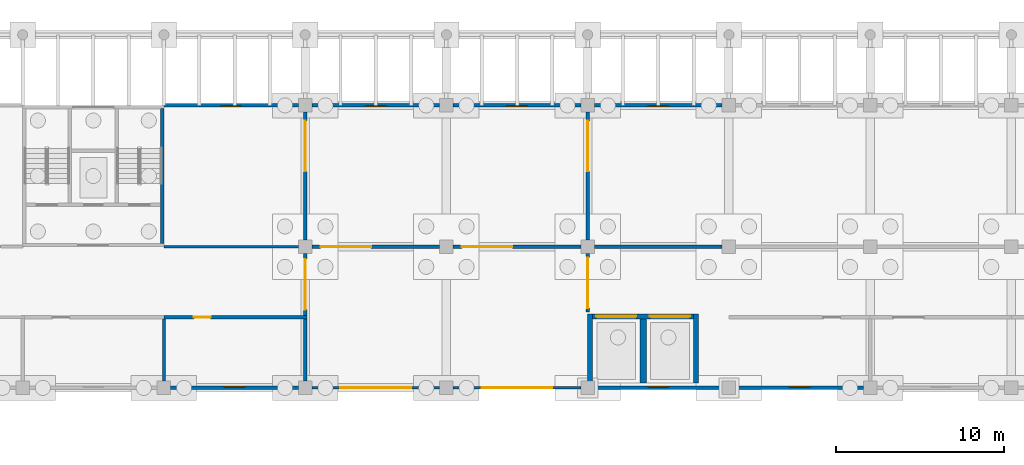
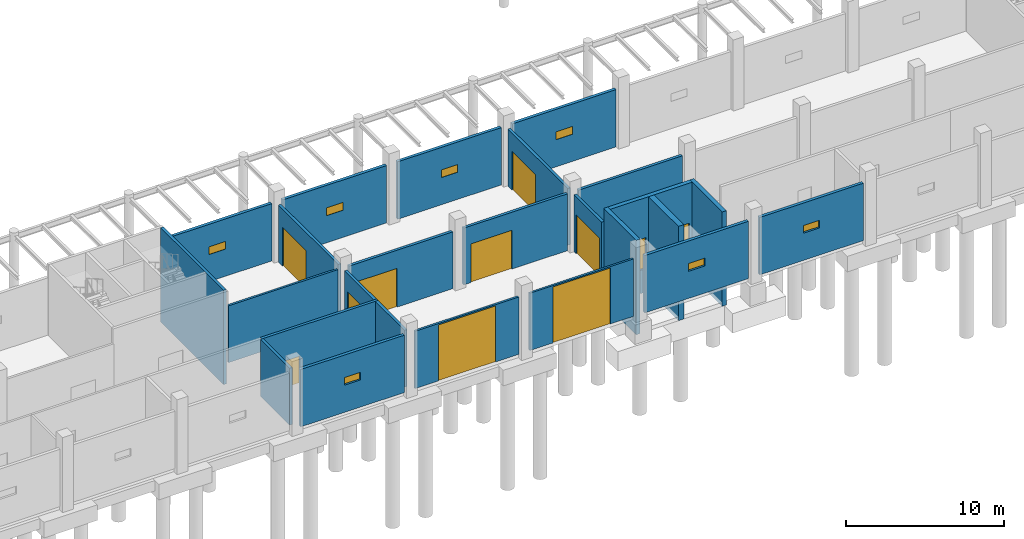
# One storey, part 29 of 82: 25 walls, 11 doors, 7 windows, 18 openings.
"""IFC4 building model written with IfcOpenShell, lengths in metres."""

from ifc_helpers import new_model, si_unit, direction, frame, frame_2d, origin, place, context, subcontext, project, spatial, rectangle, extrude, material, layer, layer_set, type_object, element, fill, save


model = new_model("IFC4")

# Units and contexts
model_context = context("Model", 3, precision=1e-05, world=origin(), true_north=direction((0.0, 1.0)))
body_context = subcontext(model_context, "Body", "Model", "MODEL_VIEW")
ifc_project = project(units=[si_unit("LENGTHUNIT", "METRE"), si_unit("AREAUNIT", "SQUARE_METRE"), si_unit("VOLUMEUNIT", "CUBIC_METRE"), si_unit("PLANEANGLEUNIT", "RADIAN"), si_unit("MASSUNIT", "GRAM", prefix="KILO")], contexts=[model_context])

# Site, building, storey
site_placement = place(None, origin())
site = spatial("IfcSite", under=ifc_project, at=site_placement, CompositionType="ELEMENT")
building_placement = place(site_placement, origin())
building = spatial("IfcBuilding", under=site, at=building_placement, Name="Almond Square Museum", CompositionType="ELEMENT")
storey_placement = place(building_placement, origin())
storey = spatial("IfcBuildingStorey", under=building, at=storey_placement, Name="L00", CompositionType="ELEMENT", Elevation=0.0)

# Wall, opening, door
ifc_material_1 = material(Name="Concrete blockwork 200", Category="masonry")
ifc_layer_1 = layer(ifc_material_1, 0.199951171875)
ifc_layer_set_1 = layer_set([ifc_layer_1], Name="Concrete blockwork 200")
wall_type_1 = type_object("IfcWallType", Name="Fire partition 200 blockwork", PredefinedType="PARTITIONING", material=ifc_layer_set_1)
wall_1_placement = place(storey_placement, frame((73.199951171875, 8.800048828125, 0.0), z_axis=(0.0, 0.0, 1.0), x_axis=(0.0, 1.0, 0.0)))
wall_1 = element("IfcWall", 1, at=wall_1_placement, inside=storey, type_object=wall_type_1, Name="L00 partition 86", PredefinedType="PARTITIONING", context=body_context, shape_type="SweptSolid", body=[
    extrude(rectangle(XDim=7.599853515625, YDim=0.199951171875, at=frame_2d((3.7998046875, 0.0))), origin(), (0.0, 0.0, 1.0), 4.39990234375),
])
opening_1_placement = place(wall_1_placement, frame((4.074951171875, 0.0, 0.0)))
opening_1 = element("IfcOpeningElement", 2, at=opening_1_placement, cuts=wall_1, Name="Opening D0127", PredefinedType="OPENING", context=body_context, shape_type="SweptSolid", body=[
    extrude(rectangle(XDim=3.0, YDim=3.0, at=frame_2d((1.5, 1.5))), frame((0.0, 0.10986328125, 0.0), z_axis=(0.0, -1.0, 0.0), x_axis=(1.0, 0.0, 0.0)), (0.0, 0.0, 1.0), 0.219970703125),
])
ifc_material_2 = material(Name="Steel", Category="steel")
door_type_1 = type_object("IfcDoorType", Name="Dock door 3000 x 3000 steel double", OperationType="NOTDEFINED", PredefinedType="DOOR", material=ifc_material_2)
door_1_placement = place(opening_1_placement, origin())
door_1 = element("IfcDoor", 3, at=door_1_placement, inside=storey, type_object=door_type_1, Name="L00 door Art Handling Room to Dock Hall", OperationType="DOUBLE_DOOR_SINGLE_SWING", OverallHeight=3.0, OverallWidth=3.0, PredefinedType="DOOR", context=body_context, shape_type="SweptSolid", body=[
    extrude(rectangle(XDim=3.0, YDim=3.0, at=frame_2d((1.5, 1.5))), frame((0.0, 0.02490234375, 0.0), z_axis=(0.0, -1.0, 0.0), x_axis=(1.0, 0.0, 0.0)), (0.0, 0.0, 1.0), 0.050048828125),
])
fill(opening_1, door_1)

wall_2_placement = place(storey_placement, frame((90.0, 8.800048828125, 0.0), z_axis=(0.0, 0.0, 1.0), x_axis=(0.0, 1.0, 0.0)))
wall_2 = element("IfcWall", 4, at=wall_2_placement, inside=storey, type_object=wall_type_1, Name="L00 partition 88", PredefinedType="PARTITIONING", context=body_context, shape_type="SweptSolid", body=[
    extrude(rectangle(XDim=7.599853515625, YDim=0.199951171875, at=frame_2d((3.7998046875, 0.0))), origin(), (0.0, 0.0, 1.0), 4.39990234375),
])
opening_2_placement = place(wall_2_placement, frame((4.074951171875, 0.0, 0.0)))
opening_2 = element("IfcOpeningElement", 5, at=opening_2_placement, cuts=wall_2, Name="Opening D0128", PredefinedType="OPENING", context=body_context, shape_type="SweptSolid", body=[
    extrude(rectangle(XDim=3.0, YDim=3.0, at=frame_2d((1.5, 1.5))), frame((0.0, 0.10986328125, 0.0), z_axis=(0.0, -1.0, 0.0), x_axis=(1.0, 0.0, 0.0)), (0.0, 0.0, 1.0), 0.219970703125),
])
door_2_placement = place(opening_2_placement, origin())
door_2 = element("IfcDoor", 6, at=door_2_placement, inside=storey, type_object=door_type_1, Name="L00 door Receiving and Crating to Dock Hall", OperationType="DOUBLE_DOOR_SINGLE_SWING", OverallHeight=3.0, OverallWidth=3.0, PredefinedType="DOOR", context=body_context, shape_type="SweptSolid", body=[
    extrude(rectangle(XDim=3.0, YDim=3.0, at=frame_2d((1.5, 1.5))), frame((0.0, 0.02490234375, 0.0), z_axis=(0.0, -1.0, 0.0), x_axis=(1.0, 0.0, 0.0)), (0.0, 0.0, 1.0), 0.050048828125),
])
fill(opening_2, door_2)

wall_3_placement = place(storey_placement, frame((73.60009765625, 8.39990234375, 0.0), z_axis=(0.0, 0.0, 1.0), x_axis=(1.0, 0.0, 0.0)))
wall_3 = element("IfcWall", 7, at=wall_3_placement, inside=storey, type_object=wall_type_1, Name="L00 partition 89", PredefinedType="PARTITIONING", context=body_context, shape_type="SweptSolid", body=[
    extrude(rectangle(XDim=7.599853515625, YDim=0.199951171875, at=frame_2d((3.7998046875, 0.0))), origin(), (0.0, 0.0, 1.0), 4.39990234375),
])
opening_3_placement = place(wall_3_placement, frame((0.52490234375, 0.0, 0.0)))
opening_3 = element("IfcOpeningElement", 8, at=opening_3_placement, cuts=wall_3, Name="Opening D0153", PredefinedType="OPENING", context=body_context, shape_type="SweptSolid", body=[
    extrude(rectangle(XDim=3.0, YDim=3.0, at=frame_2d((1.5, 1.5))), frame((0.0, 0.10986328125, 0.0), z_axis=(0.0, -1.0, 0.0), x_axis=(1.0, 0.0, 0.0)), (0.0, 0.0, 1.0), 0.219970703125),
])
door_3_placement = place(opening_3_placement, origin())
door_3 = element("IfcDoor", 9, at=door_3_placement, inside=storey, type_object=door_type_1, Name="L00 door Dock Hall to Loading Dock", OperationType="DOUBLE_DOOR_SINGLE_SWING", OverallHeight=3.0, OverallWidth=3.0, PredefinedType="DOOR", context=body_context, shape_type="SweptSolid", body=[
    extrude(rectangle(XDim=3.0, YDim=3.0, at=frame_2d((1.5, 1.5))), frame((0.0, 0.02490234375, 0.0), z_axis=(0.0, -1.0, 0.0), x_axis=(1.0, 0.0, 0.0)), (0.0, 0.0, 1.0), 0.050048828125),
])
fill(opening_3, door_3)

wall_4_placement = place(storey_placement, frame((82.0, 8.39990234375, 0.0), z_axis=(0.0, 0.0, 1.0), x_axis=(1.0, 0.0, 0.0)))
wall_4 = element("IfcWall", 10, at=wall_4_placement, inside=storey, type_object=wall_type_1, Name="L00 partition 90", PredefinedType="PARTITIONING", context=body_context, shape_type="SweptSolid", body=[
    extrude(rectangle(XDim=7.60009765625, YDim=0.199951171875, at=frame_2d((3.800048828125, 0.0))), origin(), (0.0, 0.0, 1.0), 4.39990234375),
])
opening_4_placement = place(wall_4_placement, frame((0.52490234375, 0.0, 0.0)))
opening_4 = element("IfcOpeningElement", 11, at=opening_4_placement, cuts=wall_4, Name="Opening D0154", PredefinedType="OPENING", context=body_context, shape_type="SweptSolid", body=[
    extrude(rectangle(XDim=3.0, YDim=3.0, at=frame_2d((1.5, 1.5))), frame((0.0, 0.10986328125, 0.0), z_axis=(0.0, -1.0, 0.0), x_axis=(1.0, 0.0, 0.0)), (0.0, 0.0, 1.0), 0.219970703125),
])
door_4_placement = place(opening_4_placement, origin())
door_4 = element("IfcDoor", 12, at=door_4_placement, inside=storey, type_object=door_type_1, Name="L00 door Dock Hall to Loading Dock", OperationType="DOUBLE_DOOR_SINGLE_SWING", OverallHeight=3.0, OverallWidth=3.0, PredefinedType="DOOR", context=body_context, shape_type="SweptSolid", body=[
    extrude(rectangle(XDim=3.0, YDim=3.0, at=frame_2d((1.5, 1.5))), frame((0.0, 0.02490234375, 0.0), z_axis=(0.0, -1.0, 0.0), x_axis=(1.0, 0.0, 0.0)), (0.0, 0.0, 1.0), 0.050048828125),
])
fill(opening_4, door_4)

# Wall
wall_5_placement = place(storey_placement, frame((90.39990234375, 8.39990234375, 0.0), z_axis=(0.0, 0.0, 1.0), x_axis=(1.0, 0.0, 0.0)))
element("IfcWall", 13, at=wall_5_placement, inside=storey, type_object=wall_type_1, Name="L00 partition 91", PredefinedType="PARTITIONING", context=body_context, shape_type="SweptSolid", body=[
    extrude(rectangle(XDim=7.60009765625, YDim=0.199951171875, at=frame_2d((3.800048828125, 0.0))), origin(), (0.0, 0.0, 1.0), 4.39990234375),
])

# Wall, opening, door
wall_6_placement = place(storey_placement, frame((64.800048828125, 4.199951171875, 0.0), z_axis=(0.0, 0.0, 1.0), x_axis=(1.0, 0.0, 0.0)))
wall_6 = element("IfcWall", 14, at=wall_6_placement, inside=storey, type_object=wall_type_1, Name="L00 partition 105", PredefinedType="PARTITIONING", context=body_context, shape_type="SweptSolid", body=[
    extrude(rectangle(XDim=8.5, YDim=0.199951171875, at=frame_2d((4.25, 0.0))), origin(), (0.0, 0.0, 1.0), 4.39990234375),
])
opening_5_placement = place(wall_6_placement, frame((1.77490234375, 0.0, 0.0)))
opening_5 = element("IfcOpeningElement", 15, at=opening_5_placement, cuts=wall_6, Name="Opening D0135", PredefinedType="OPENING", context=body_context, shape_type="SweptSolid", body=[
    extrude(rectangle(XDim=1.0, YDim=2.10009765625, at=frame_2d((0.5, 1.050048828125))), frame((0.0, 0.10986328125, 0.0), z_axis=(0.0, -1.0, 0.0), x_axis=(1.0, 0.0, 0.0)), (0.0, 0.0, 1.0), 0.219970703125),
])
ifc_material_3 = material(Name="Steel", Category="steel")
door_type_2 = type_object("IfcDoorType", Name="Fire door 1000 x 2100 FD60 single", OperationType="NOTDEFINED", PredefinedType="DOOR", material=ifc_material_3)
door_5_placement = place(opening_5_placement, origin())
door_5 = element("IfcDoor", 16, at=door_5_placement, inside=storey, type_object=door_type_2, Name="L00 door Cleaners' Store 3 to Service Corridor 2", OperationType="SINGLE_SWING_RIGHT", OverallHeight=2.10009765625, OverallWidth=1.0, PredefinedType="DOOR", context=body_context, shape_type="SweptSolid", body=[
    extrude(rectangle(XDim=1.0, YDim=2.10009765625, at=frame_2d((0.5, 1.050048828125))), frame((0.0, 0.02490234375, 0.0), z_axis=(0.0, -1.0, 0.0), x_axis=(1.0, 0.0, 0.0)), (0.0, 0.0, 1.0), 0.050048828125),
])
fill(opening_5, door_5)

wall_7_placement = place(storey_placement, frame((73.199951171875, 4.300048828125, 0.0), z_axis=(0.0, 0.0, 1.0), x_axis=(0.0, 1.0, 0.0)))
wall_7 = element("IfcWall", 17, at=wall_7_placement, inside=storey, type_object=wall_type_1, Name="L00 partition 106", PredefinedType="PARTITIONING", context=body_context, shape_type="SweptSolid", body=[
    extrude(rectangle(XDim=3.699951171875, YDim=0.199951171875, at=frame_2d((1.85009765625, 0.0))), origin(), (0.0, 0.0, 1.0), 4.39990234375),
])
opening_6_placement = place(wall_7_placement, frame((0.35009765625, 0.0, 0.0)))
opening_6 = element("IfcOpeningElement", 18, at=opening_6_placement, cuts=wall_7, Name="Opening D0155", PredefinedType="OPENING", context=body_context, shape_type="SweptSolid", body=[
    extrude(rectangle(XDim=3.0, YDim=3.0, at=frame_2d((1.5, 1.5))), frame((0.0, 0.10986328125, 0.0), z_axis=(0.0, -1.0, 0.0), x_axis=(1.0, 0.0, 0.0)), (0.0, 0.0, 1.0), 0.219970703125),
])
door_6_placement = place(opening_6_placement, origin())
door_6 = element("IfcDoor", 19, at=door_6_placement, inside=storey, type_object=door_type_1, Name="L00 door Service Corridor 2 to Loading Dock", OperationType="DOUBLE_DOOR_SINGLE_SWING", OverallHeight=3.0, OverallWidth=3.0, PredefinedType="DOOR", context=body_context, shape_type="SweptSolid", body=[
    extrude(rectangle(XDim=3.0, YDim=3.0, at=frame_2d((1.5, 1.5))), frame((0.0, 0.02490234375, 0.0), z_axis=(0.0, -1.0, 0.0), x_axis=(1.0, 0.0, 0.0)), (0.0, 0.0, 1.0), 0.050048828125),
])
fill(opening_6, door_6)

wall_8_placement = place(storey_placement, frame((90.0, 4.5, 0.0), z_axis=(0.0, 0.0, 1.0), x_axis=(0.0, 1.0, 0.0)))
wall_8 = element("IfcWall", 20, at=wall_8_placement, inside=storey, type_object=wall_type_1, Name="L00 partition 109", PredefinedType="PARTITIONING", context=body_context, shape_type="SweptSolid", body=[
    extrude(rectangle(XDim=3.5, YDim=0.199951171875, at=frame_2d((1.75, 0.0))), origin(), (0.0, 0.0, 1.0), 4.39990234375),
])
opening_7_placement = place(wall_8_placement, frame((0.25, 0.0, 0.0)))
opening_7 = element("IfcOpeningElement", 21, at=opening_7_placement, cuts=wall_8, Name="Opening D0156", PredefinedType="OPENING", context=body_context, shape_type="SweptSolid", body=[
    extrude(rectangle(XDim=3.0, YDim=3.0, at=frame_2d((1.5, 1.5))), frame((0.0, 0.10986328125, 0.0), z_axis=(0.0, -1.0, 0.0), x_axis=(1.0, 0.0, 0.0)), (0.0, 0.0, 1.0), 0.219970703125),
])
door_7_placement = place(opening_7_placement, origin())
door_7 = element("IfcDoor", 22, at=door_7_placement, inside=storey, type_object=door_type_1, Name="L00 door Goods Lift Lobby to Loading Dock", OperationType="DOUBLE_DOOR_SINGLE_SWING", OverallHeight=3.0, OverallWidth=3.0, PredefinedType="DOOR", context=body_context, shape_type="SweptSolid", body=[
    extrude(rectangle(XDim=3.0, YDim=3.0, at=frame_2d((1.5, 1.5))), frame((0.0, 0.02490234375, 0.0), z_axis=(0.0, -1.0, 0.0), x_axis=(1.0, 0.0, 0.0)), (0.0, 0.0, 1.0), 0.050048828125),
])
fill(opening_7, door_7)

# Walls
for number, where, z_axis, x_axis, name in (
    (23, (64.800048828125, 0.39990234375, 0.0), (0.0, 0.0, 1.0), (0.0, 1.0, 0.0), "L00 partition 114"),
    (24, (73.199951171875, 0.39990234375, 0.0), (0.0, 0.0, 1.0), (0.0, 1.0, 0.0), "L00 partition 115"),
):
    element("IfcWall", number, at=place(storey_placement, frame(where, z_axis=z_axis, x_axis=x_axis)), inside=storey, type_object=wall_type_1, Name=name, PredefinedType="PARTITIONING", context=body_context, shape_type="SweptSolid", body=[
        extrude(rectangle(XDim=3.7001953125, YDim=0.199951171875, at=frame_2d((1.85009765625, 0.0))), origin(), (0.0, 0.0, 1.0), 4.39990234375),
    ])

# Wall, opening, door
ifc_material_4 = material(Name="Aluminium and laminated glass", Category="aluminium")
ifc_layer_2 = layer(ifc_material_4, 0.14990234375)
ifc_layer_set_2 = layer_set([ifc_layer_2], Name="Aluminium and laminated glass")
wall_type_2 = type_object("IfcWallType", Name="Glazed entrance screen 150", PredefinedType="ELEMENTEDWALL", material=ifc_layer_set_2)
wall_9_placement = place(storey_placement, frame((73.60009765625, 0.0, 0.0), z_axis=(0.0, 0.0, 1.0), x_axis=(1.0, 0.0, 0.0)))
wall_9 = element("IfcWall", 25, at=wall_9_placement, inside=storey, type_object=wall_type_2, Name="External wall W6 V5S L00 S08", PredefinedType="ELEMENTEDWALL", context=body_context, shape_type="SweptSolid", body=[
    extrude(rectangle(XDim=7.599853515625, YDim=0.14990234375, at=frame_2d((3.7998046875, 0.0))), origin(), (0.0, 0.0, 1.0), 4.43994140625),
])
opening_8_placement = place(wall_9_placement, frame((1.699951171875, 0.0, 0.0)))
opening_8 = element("IfcOpeningElement", 26, at=opening_8_placement, cuts=wall_9, Name="Opening D002", PredefinedType="OPENING", context=body_context, shape_type="SweptSolid", body=[
    extrude(rectangle(XDim=4.199951171875, YDim=4.340087890625, at=frame_2d((2.10009765625, 2.169921875))), frame((0.0, 0.0849609375, 0.0), z_axis=(0.0, -1.0, 0.0), x_axis=(1.0, 0.0, 0.0)), (0.0, 0.0, 1.0), 0.169921875),
])
ifc_material_5 = material(Name="Insulated steel slat shutter", Category="steel")
door_type_3 = type_object("IfcDoorType", Name="Dock roller door 4200 x 4340", OperationType="NOTDEFINED", PredefinedType="DOOR", material=ifc_material_5)
door_8_placement = place(opening_8_placement, origin())
door_8 = element("IfcDoor", 27, at=door_8_placement, inside=storey, type_object=door_type_3, Name="Dock Door DD1 door D002", OperationType="ROLLINGUP", OverallHeight=4.340087890625, OverallWidth=4.199951171875, PredefinedType="DOOR", context=body_context, shape_type="SweptSolid", body=[
    extrude(rectangle(XDim=4.199951171875, YDim=4.340087890625, at=frame_2d((2.10009765625, 2.169921875))), frame((0.0, 0.02490234375, 0.0), z_axis=(0.0, -1.0, 0.0), x_axis=(1.0, 0.0, 0.0)), (0.0, 0.0, 1.0), 0.050048828125),
])
fill(opening_8, door_8)

wall_10_placement = place(storey_placement, frame((82.0, 0.0, 0.0), z_axis=(0.0, 0.0, 1.0), x_axis=(1.0, 0.0, 0.0)))
wall_10 = element("IfcWall", 28, at=wall_10_placement, inside=storey, type_object=wall_type_2, Name="External wall W6 V5S L00 S09", PredefinedType="ELEMENTEDWALL", context=body_context, shape_type="SweptSolid", body=[
    extrude(rectangle(XDim=7.60009765625, YDim=0.14990234375, at=frame_2d((3.800048828125, 0.0))), origin(), (0.0, 0.0, 1.0), 4.43994140625),
])
opening_9_placement = place(wall_10_placement, frame((1.699951171875, 0.0, 0.0)))
opening_9 = element("IfcOpeningElement", 29, at=opening_9_placement, cuts=wall_10, Name="Opening D003", PredefinedType="OPENING", context=body_context, shape_type="SweptSolid", body=[
    extrude(rectangle(XDim=4.199951171875, YDim=4.340087890625, at=frame_2d((2.10009765625, 2.169921875))), frame((0.0, 0.0849609375, 0.0), z_axis=(0.0, -1.0, 0.0), x_axis=(1.0, 0.0, 0.0)), (0.0, 0.0, 1.0), 0.169921875),
])
door_9_placement = place(opening_9_placement, origin())
door_9 = element("IfcDoor", 30, at=door_9_placement, inside=storey, type_object=door_type_3, Name="Dock Door DD2 door D003", OperationType="ROLLINGUP", OverallHeight=4.340087890625, OverallWidth=4.199951171875, PredefinedType="DOOR", context=body_context, shape_type="SweptSolid", body=[
    extrude(rectangle(XDim=4.199951171875, YDim=4.340087890625, at=frame_2d((2.10009765625, 2.169921875))), frame((0.0, 0.02490234375, 0.0), z_axis=(0.0, -1.0, 0.0), x_axis=(1.0, 0.0, 0.0)), (0.0, 0.0, 1.0), 0.050048828125),
])
fill(opening_9, door_9)

# Walls
ifc_material_6 = material(Name="Plasterboard on steel stud", Category="steel")
ifc_layer_3 = layer(ifc_material_6, 0.14990234375)
ifc_layer_set_3 = layer_set([ifc_layer_3], Name="Plasterboard on steel stud")
wall_type_3 = type_object("IfcWallType", Name="Partition 150 plasterboard on steel stud", PredefinedType="PARTITIONING", material=ifc_layer_set_3)
wall_11_placement = place(storey_placement, frame((64.800048828125, 8.39990234375, 0.0), z_axis=(0.0, 0.0, 1.0), x_axis=(1.0, 0.0, 0.0)))
element("IfcWall", 31, at=wall_11_placement, inside=storey, type_object=wall_type_3, Name="L00 partition 87", PredefinedType="PARTITIONING", context=body_context, shape_type="SweptSolid", body=[
    extrude(rectangle(XDim=8.0, YDim=0.14990234375, at=frame_2d((4.0, 0.0))), origin(), (0.0, 0.0, 1.0), 4.39990234375),
])
ifc_material_7 = material(Name="Concrete C40/50", Category="concrete")
ifc_layer_4 = layer(ifc_material_7, 0.199951171875)
ifc_layer_set_4 = layer_set([ifc_layer_4], Name="Concrete C40/50")
wall_type_4 = type_object("IfcWallType", Name="RC shear wall 200 C40/50", PredefinedType="SHEAR", material=ifc_layer_set_4)
wall_12_placement = place(storey_placement, frame((64.699951171875, 8.60009765625, -1.800048828125), z_axis=(0.0, 0.0, 1.0), x_axis=(0.0, 1.0, 0.0)))
element("IfcWall", 32, at=wall_12_placement, inside=storey, type_object=wall_type_4, Name="Core S2 east wall L00", PredefinedType="SHEAR", context=body_context, shape_type="SweptSolid", body=[
    extrude(rectangle(XDim=8.0, YDim=0.199951171875, at=frame_2d((4.0, 0.0))), origin(), (0.0, 0.0, 1.0), 7.300048828125),
])
ifc_material_8 = material(Name="Concrete C40/50", Category="concrete")
ifc_layer_5 = layer(ifc_material_8, 0.300048828125)
ifc_layer_set_5 = layer_set([ifc_layer_5], Name="Concrete C40/50")
wall_type_5 = type_object("IfcWallType", Name="RC shear wall 300 C40/50", PredefinedType="SHEAR", material=ifc_layer_set_5)
for number, where, z_axis, x_axis, name in (
    (33, (90.14990234375, 0.300048828125, -1.800048828125), (0.0, 0.0, 1.0), (0.0, 1.0, 0.0), "Goods lift shaft west wall L00"),
    (34, (96.449951171875, 0.300048828125, -1.800048828125), (0.0, 0.0, 1.0), (0.0, 1.0, 0.0), "Goods lift shaft east wall L00"),
):
    element("IfcWall", number, at=place(storey_placement, frame(where, z_axis=z_axis, x_axis=x_axis)), inside=storey, type_object=wall_type_5, Name=name, PredefinedType="SHEAR", context=body_context, shape_type="SweptSolid", body=[
        extrude(rectangle(XDim=4.099853515625, YDim=0.300048828125, at=frame_2d((2.0498046875, 0.0))), origin(), (0.0, 0.0, 1.0), 7.300048828125),
    ])

# Wall, openings, doors
wall_13_placement = place(storey_placement, frame((90.300048828125, 4.25, -1.800048828125), z_axis=(0.0, 0.0, 1.0), x_axis=(1.0, 0.0, 0.0)))
wall_13 = element("IfcWall", 35, at=wall_13_placement, inside=storey, type_object=wall_type_5, Name="Goods lift shaft lobby wall L00", PredefinedType="SHEAR", context=body_context, shape_type="SweptSolid", body=[
    extrude(rectangle(XDim=6.0, YDim=0.300048828125, at=frame_2d((3.0, 0.0))), origin(), (0.0, 0.0, 1.0), 7.300048828125),
])
opening_10_placement = place(wall_13_placement, frame((0.199951171875, 0.0, 1.800048828125)))
opening_10 = element("IfcOpeningElement", 36, at=opening_10_placement, cuts=wall_13, Name="Opening D0220", PredefinedType="OPENING", context=body_context, shape_type="SweptSolid", body=[
    extrude(rectangle(XDim=2.39990234375, YDim=2.39990234375, at=frame_2d((1.199951171875, 1.199951171875))), frame((0.0, 0.159912109375, 0.0), z_axis=(0.0, -1.0, 0.0), x_axis=(1.0, 0.0, 0.0)), (0.0, 0.0, 1.0), 0.320068359375),
])
opening_11_placement = place(wall_13_placement, frame((3.39990234375, 0.0, 1.800048828125)))
opening_11 = element("IfcOpeningElement", 37, at=opening_11_placement, cuts=wall_13, Name="Opening D0221", PredefinedType="OPENING", context=body_context, shape_type="SweptSolid", body=[
    extrude(rectangle(XDim=2.39990234375, YDim=2.39990234375, at=frame_2d((1.199951171875, 1.199951171875))), frame((0.0, 0.159912109375, 0.0), z_axis=(0.0, -1.0, 0.0), x_axis=(1.0, 0.0, 0.0)), (0.0, 0.0, 1.0), 0.320068359375),
])
ifc_material_9 = material(Name="Stainless steel", Category="steel")
door_type_4 = type_object("IfcDoorType", Name="Goods lift landing door 2400 x 2400", OperationType="NOTDEFINED", PredefinedType="DOOR", material=ifc_material_9)
door_10_placement = place(opening_10_placement, origin())
door_10 = element("IfcDoor", 38, at=door_10_placement, inside=storey, type_object=door_type_4, Name="L00 goods lift GL1 landing door", OperationType="DOUBLE_DOOR_SLIDING", OverallHeight=2.39990234375, OverallWidth=2.39990234375, PredefinedType="DOOR", context=body_context, shape_type="SweptSolid", body=[
    extrude(rectangle(XDim=2.39990234375, YDim=2.39990234375, at=frame_2d((1.199951171875, 1.199951171875))), frame((0.0, 0.02490234375, 0.0), z_axis=(0.0, -1.0, 0.0), x_axis=(1.0, 0.0, 0.0)), (0.0, 0.0, 1.0), 0.050048828125),
])
fill(opening_10, door_10)
door_11_placement = place(opening_11_placement, origin())
door_11 = element("IfcDoor", 39, at=door_11_placement, inside=storey, type_object=door_type_4, Name="L00 goods lift GL2 landing door", OperationType="DOUBLE_DOOR_SLIDING", OverallHeight=2.39990234375, OverallWidth=2.39990234375, PredefinedType="DOOR", context=body_context, shape_type="SweptSolid", body=[
    extrude(rectangle(XDim=2.39990234375, YDim=2.39990234375, at=frame_2d((1.199951171875, 1.199951171875))), frame((0.0, 0.02490234375, 0.0), z_axis=(0.0, -1.0, 0.0), x_axis=(1.0, 0.0, 0.0)), (0.0, 0.0, 1.0), 0.050048828125),
])
fill(opening_11, door_11)

# Wall
ifc_material_10 = material(Name="Concrete C40/50", Category="concrete")
ifc_layer_6 = layer(ifc_material_10, 0.39990234375)
ifc_layer_set_6 = layer_set([ifc_layer_6], Name="Concrete C40/50")
wall_type_6 = type_object("IfcWallType", Name="RC shear wall 400 C40/50", PredefinedType="SHEAR", material=ifc_layer_set_6)
wall_14_placement = place(storey_placement, frame((93.300048828125, 0.300048828125, -1.800048828125), z_axis=(0.0, 0.0, 1.0), x_axis=(0.0, 1.0, 0.0)))
element("IfcWall", 40, at=wall_14_placement, inside=storey, type_object=wall_type_6, Name="Goods lift shaft partition wall L00", PredefinedType="SHEAR", context=body_context, shape_type="SweptSolid", body=[
    extrude(rectangle(XDim=3.800048828125, YDim=0.39990234375, at=frame_2d((1.89990234375, 0.0))), origin(), (0.0, 0.0, 1.0), 7.300048828125),
])

# Wall, opening, window
ifc_material_11 = material(Name="Concrete C30/37", Category="concrete")
ifc_layer_7 = layer(ifc_material_11, 0.219970703125)
ifc_layer_set_7 = layer_set([ifc_layer_7], Name="Concrete C30/37")
wall_type_7 = type_object("IfcWallType", Name="Stucco panel wall 220 with insulation", PredefinedType="SOLIDWALL", material=ifc_layer_set_7)
wall_15_placement = place(storey_placement, frame((65.199951171875, 0.0, 0.0), z_axis=(0.0, 0.0, 1.0), x_axis=(1.0, 0.0, 0.0)))
wall_15 = element("IfcWall", 41, at=wall_15_placement, inside=storey, type_object=wall_type_7, Name="External wall W4 V5S L00 S07", PredefinedType="SOLIDWALL", context=body_context, shape_type="SweptSolid", body=[
    extrude(rectangle(XDim=7.60009765625, YDim=0.219970703125, at=frame_2d((3.800048828125, 0.0))), origin(), (0.0, 0.0, 1.0), 4.43994140625),
])
opening_12_placement = place(wall_15_placement, frame((3.199951171875, 0.0, 2.10009765625)))
opening_12 = element("IfcOpeningElement", 42, at=opening_12_placement, cuts=wall_15, Name="Opening W0006", PredefinedType="OPENING", context=body_context, shape_type="SweptSolid", body=[
    extrude(rectangle(XDim=1.199951171875, YDim=0.60009765625, at=frame_2d((0.60009765625, 0.300048828125))), frame((0.0, 0.119873046875, 0.0), z_axis=(0.0, -1.0, 0.0), x_axis=(1.0, 0.0, 0.0)), (0.0, 0.0, 1.0), 0.239990234375),
])
ifc_material_12 = material(Name="Anodised aluminium louvre", Category="aluminium")
window_type = type_object("IfcWindowType", Name="Louvred vent", PartitioningType="SINGLE_PANEL", PredefinedType="WINDOW", material=ifc_material_12)
window_1_placement = place(opening_12_placement, origin())
window_1 = element("IfcWindow", 43, at=window_1_placement, inside=storey, type_object=window_type, Name="Louvred vent W0006", OverallHeight=0.60009765625, OverallWidth=1.199951171875, PartitioningType="SINGLE_PANEL", PredefinedType="WINDOW", context=body_context, shape_type="SweptSolid", body=[
    extrude(rectangle(XDim=1.199951171875, YDim=0.60009765625, at=frame_2d((0.60009765625, 0.300048828125))), frame((0.0, 0.090087890625, 0.0), z_axis=(0.0, -1.0, 0.0), x_axis=(1.0, 0.0, 0.0)), (0.0, 0.0, 1.0), 0.06005859375),
])
fill(opening_12, window_1)

wall_16_placement = place(storey_placement, frame((90.39990234375, 0.0, 0.0), z_axis=(0.0, 0.0, 1.0), x_axis=(1.0, 0.0, 0.0)))
wall_16 = element("IfcWall", 44, at=wall_16_placement, inside=storey, type_object=wall_type_7, Name="External wall W4 V5S L00 S10", PredefinedType="SOLIDWALL", context=body_context, shape_type="SweptSolid", body=[
    extrude(rectangle(XDim=7.60009765625, YDim=0.219970703125, at=frame_2d((3.800048828125, 0.0))), origin(), (0.0, 0.0, 1.0), 4.43994140625),
])
opening_13_placement = place(wall_16_placement, frame((3.199951171875, 0.0, 2.10009765625)))
opening_13 = element("IfcOpeningElement", 45, at=opening_13_placement, cuts=wall_16, Name="Opening W0007", PredefinedType="OPENING", context=body_context, shape_type="SweptSolid", body=[
    extrude(rectangle(XDim=1.199951171875, YDim=0.60009765625, at=frame_2d((0.60009765625, 0.300048828125))), frame((0.0, 0.119873046875, 0.0), z_axis=(0.0, -1.0, 0.0), x_axis=(1.0, 0.0, 0.0)), (0.0, 0.0, 1.0), 0.239990234375),
])
window_2_placement = place(opening_13_placement, origin())
window_2 = element("IfcWindow", 46, at=window_2_placement, inside=storey, type_object=window_type, Name="Louvred vent W0007", OverallHeight=0.60009765625, OverallWidth=1.199951171875, PartitioningType="SINGLE_PANEL", PredefinedType="WINDOW", context=body_context, shape_type="SweptSolid", body=[
    extrude(rectangle(XDim=1.199951171875, YDim=0.60009765625, at=frame_2d((0.60009765625, 0.300048828125))), frame((0.0, 0.090087890625, 0.0), z_axis=(0.0, -1.0, 0.0), x_axis=(1.0, 0.0, 0.0)), (0.0, 0.0, 1.0), 0.06005859375),
])
fill(opening_13, window_2)

wall_17_placement = place(storey_placement, frame((98.800048828125, 0.0, 0.0), z_axis=(0.0, 0.0, 1.0), x_axis=(1.0, 0.0, 0.0)))
wall_17 = element("IfcWall", 47, at=wall_17_placement, inside=storey, type_object=wall_type_7, Name="External wall W4 V5S L00 S11", PredefinedType="SOLIDWALL", context=body_context, shape_type="SweptSolid", body=[
    extrude(rectangle(XDim=7.599853515625, YDim=0.219970703125, at=frame_2d((3.7998046875, 0.0))), origin(), (0.0, 0.0, 1.0), 4.43994140625),
])
opening_14_placement = place(wall_17_placement, frame((3.199951171875, 0.0, 2.10009765625)))
opening_14 = element("IfcOpeningElement", 48, at=opening_14_placement, cuts=wall_17, Name="Opening W0008", PredefinedType="OPENING", context=body_context, shape_type="SweptSolid", body=[
    extrude(rectangle(XDim=1.199951171875, YDim=0.60009765625, at=frame_2d((0.60009765625, 0.300048828125))), frame((0.0, 0.119873046875, 0.0), z_axis=(0.0, -1.0, 0.0), x_axis=(1.0, 0.0, 0.0)), (0.0, 0.0, 1.0), 0.239990234375),
])
window_3_placement = place(opening_14_placement, origin())
window_3 = element("IfcWindow", 49, at=window_3_placement, inside=storey, type_object=window_type, Name="Louvred vent W0008", OverallHeight=0.60009765625, OverallWidth=1.199951171875, PartitioningType="SINGLE_PANEL", PredefinedType="WINDOW", context=body_context, shape_type="SweptSolid", body=[
    extrude(rectangle(XDim=1.199951171875, YDim=0.60009765625, at=frame_2d((0.60009765625, 0.300048828125))), frame((0.0, 0.090087890625, 0.0), z_axis=(0.0, -1.0, 0.0), x_axis=(1.0, 0.0, 0.0)), (0.0, 0.0, 1.0), 0.06005859375),
])
fill(opening_14, window_3)

wall_18_placement = place(storey_placement, frame((90.39990234375, 16.800048828125, 0.0), z_axis=(0.0, 0.0, 1.0), x_axis=(1.0, 0.0, 0.0)))
wall_18 = element("IfcWall", 50, at=wall_18_placement, inside=storey, type_object=wall_type_7, Name="External wall W4 V5S L00 N04", PredefinedType="SOLIDWALL", context=body_context, shape_type="SweptSolid", body=[
    extrude(rectangle(XDim=7.60009765625, YDim=0.219970703125, at=frame_2d((3.800048828125, 0.0))), origin(), (0.0, 0.0, 1.0), 4.43994140625),
])
opening_15_placement = place(wall_18_placement, frame((3.199951171875, 0.0, 2.10009765625)))
opening_15 = element("IfcOpeningElement", 51, at=opening_15_placement, cuts=wall_18, Name="Opening W0027", PredefinedType="OPENING", context=body_context, shape_type="SweptSolid", body=[
    extrude(rectangle(XDim=1.199951171875, YDim=0.60009765625, at=frame_2d((0.60009765625, 0.300048828125))), frame((0.0, 0.119873046875, 0.0), z_axis=(0.0, -1.0, 0.0), x_axis=(1.0, 0.0, 0.0)), (0.0, 0.0, 1.0), 0.239990234375),
])
window_4_placement = place(opening_15_placement, origin())
window_4 = element("IfcWindow", 52, at=window_4_placement, inside=storey, type_object=window_type, Name="Louvred vent W0027", OverallHeight=0.60009765625, OverallWidth=1.199951171875, PartitioningType="SINGLE_PANEL", PredefinedType="WINDOW", context=body_context, shape_type="SweptSolid", body=[
    extrude(rectangle(XDim=1.199951171875, YDim=0.60009765625, at=frame_2d((0.60009765625, 0.300048828125))), frame((0.0, -0.030029296875, 0.0), z_axis=(0.0, -1.0, 0.0), x_axis=(1.0, 0.0, 0.0)), (0.0, 0.0, 1.0), 0.06005859375),
])
fill(opening_15, window_4)

wall_19_placement = place(storey_placement, frame((82.0, 16.800048828125, 0.0), z_axis=(0.0, 0.0, 1.0), x_axis=(1.0, 0.0, 0.0)))
wall_19 = element("IfcWall", 53, at=wall_19_placement, inside=storey, type_object=wall_type_7, Name="External wall W4 V5S L00 N05", PredefinedType="SOLIDWALL", context=body_context, shape_type="SweptSolid", body=[
    extrude(rectangle(XDim=7.60009765625, YDim=0.219970703125, at=frame_2d((3.800048828125, 0.0))), origin(), (0.0, 0.0, 1.0), 4.43994140625),
])
opening_16_placement = place(wall_19_placement, frame((3.199951171875, 0.0, 2.10009765625)))
opening_16 = element("IfcOpeningElement", 54, at=opening_16_placement, cuts=wall_19, Name="Opening W0028", PredefinedType="OPENING", context=body_context, shape_type="SweptSolid", body=[
    extrude(rectangle(XDim=1.199951171875, YDim=0.60009765625, at=frame_2d((0.60009765625, 0.300048828125))), frame((0.0, 0.119873046875, 0.0), z_axis=(0.0, -1.0, 0.0), x_axis=(1.0, 0.0, 0.0)), (0.0, 0.0, 1.0), 0.239990234375),
])
window_5_placement = place(opening_16_placement, origin())
window_5 = element("IfcWindow", 55, at=window_5_placement, inside=storey, type_object=window_type, Name="Louvred vent W0028", OverallHeight=0.60009765625, OverallWidth=1.199951171875, PartitioningType="SINGLE_PANEL", PredefinedType="WINDOW", context=body_context, shape_type="SweptSolid", body=[
    extrude(rectangle(XDim=1.199951171875, YDim=0.60009765625, at=frame_2d((0.60009765625, 0.300048828125))), frame((0.0, -0.030029296875, 0.0), z_axis=(0.0, -1.0, 0.0), x_axis=(1.0, 0.0, 0.0)), (0.0, 0.0, 1.0), 0.06005859375),
])
fill(opening_16, window_5)

wall_20_placement = place(storey_placement, frame((73.60009765625, 16.800048828125, 0.0), z_axis=(0.0, 0.0, 1.0), x_axis=(1.0, 0.0, 0.0)))
wall_20 = element("IfcWall", 56, at=wall_20_placement, inside=storey, type_object=wall_type_7, Name="External wall W4 V5S L00 N06", PredefinedType="SOLIDWALL", context=body_context, shape_type="SweptSolid", body=[
    extrude(rectangle(XDim=7.599853515625, YDim=0.219970703125, at=frame_2d((3.7998046875, 0.0))), origin(), (0.0, 0.0, 1.0), 4.43994140625),
])
opening_17_placement = place(wall_20_placement, frame((3.199951171875, 0.0, 2.10009765625)))
opening_17 = element("IfcOpeningElement", 57, at=opening_17_placement, cuts=wall_20, Name="Opening W0029", PredefinedType="OPENING", context=body_context, shape_type="SweptSolid", body=[
    extrude(rectangle(XDim=1.199951171875, YDim=0.60009765625, at=frame_2d((0.60009765625, 0.300048828125))), frame((0.0, 0.119873046875, 0.0), z_axis=(0.0, -1.0, 0.0), x_axis=(1.0, 0.0, 0.0)), (0.0, 0.0, 1.0), 0.239990234375),
])
window_6_placement = place(opening_17_placement, origin())
window_6 = element("IfcWindow", 58, at=window_6_placement, inside=storey, type_object=window_type, Name="Louvred vent W0029", OverallHeight=0.60009765625, OverallWidth=1.199951171875, PartitioningType="SINGLE_PANEL", PredefinedType="WINDOW", context=body_context, shape_type="SweptSolid", body=[
    extrude(rectangle(XDim=1.199951171875, YDim=0.60009765625, at=frame_2d((0.60009765625, 0.300048828125))), frame((0.0, -0.030029296875, 0.0), z_axis=(0.0, -1.0, 0.0), x_axis=(1.0, 0.0, 0.0)), (0.0, 0.0, 1.0), 0.06005859375),
])
fill(opening_17, window_6)

wall_21_placement = place(storey_placement, frame((64.800048828125, 16.800048828125, 0.0), z_axis=(0.0, 0.0, 1.0), x_axis=(1.0, 0.0, 0.0)))
wall_21 = element("IfcWall", 59, at=wall_21_placement, inside=storey, type_object=wall_type_7, Name="External wall W4 V5S L00 N07", PredefinedType="SOLIDWALL", context=body_context, shape_type="SweptSolid", body=[
    extrude(rectangle(XDim=8.0, YDim=0.219970703125, at=frame_2d((4.0, 0.0))), origin(), (0.0, 0.0, 1.0), 4.43994140625),
])
opening_18_placement = place(wall_21_placement, frame((3.39990234375, 0.0, 2.10009765625)))
opening_18 = element("IfcOpeningElement", 60, at=opening_18_placement, cuts=wall_21, Name="Opening W0030", PredefinedType="OPENING", context=body_context, shape_type="SweptSolid", body=[
    extrude(rectangle(XDim=1.199951171875, YDim=0.60009765625, at=frame_2d((0.60009765625, 0.300048828125))), frame((0.0, 0.119873046875, 0.0), z_axis=(0.0, -1.0, 0.0), x_axis=(1.0, 0.0, 0.0)), (0.0, 0.0, 1.0), 0.239990234375),
])
window_7_placement = place(opening_18_placement, origin())
window_7 = element("IfcWindow", 61, at=window_7_placement, inside=storey, type_object=window_type, Name="Louvred vent W0030", OverallHeight=0.60009765625, OverallWidth=1.199951171875, PartitioningType="SINGLE_PANEL", PredefinedType="WINDOW", context=body_context, shape_type="SweptSolid", body=[
    extrude(rectangle(XDim=1.199951171875, YDim=0.60009765625, at=frame_2d((0.60009765625, 0.300048828125))), frame((0.0, -0.030029296875, 0.0), z_axis=(0.0, -1.0, 0.0), x_axis=(1.0, 0.0, 0.0)), (0.0, 0.0, 1.0), 0.06005859375),
])
fill(opening_18, window_7)

save(model, "model.ifc")
